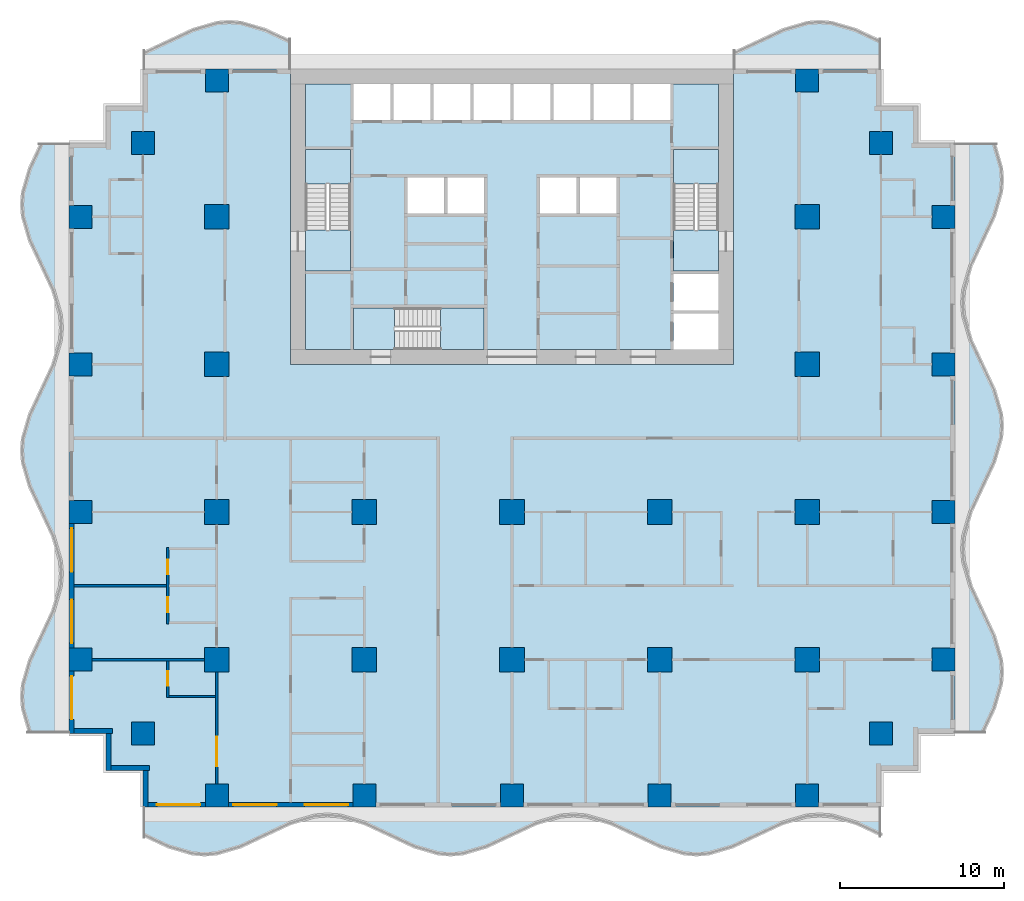
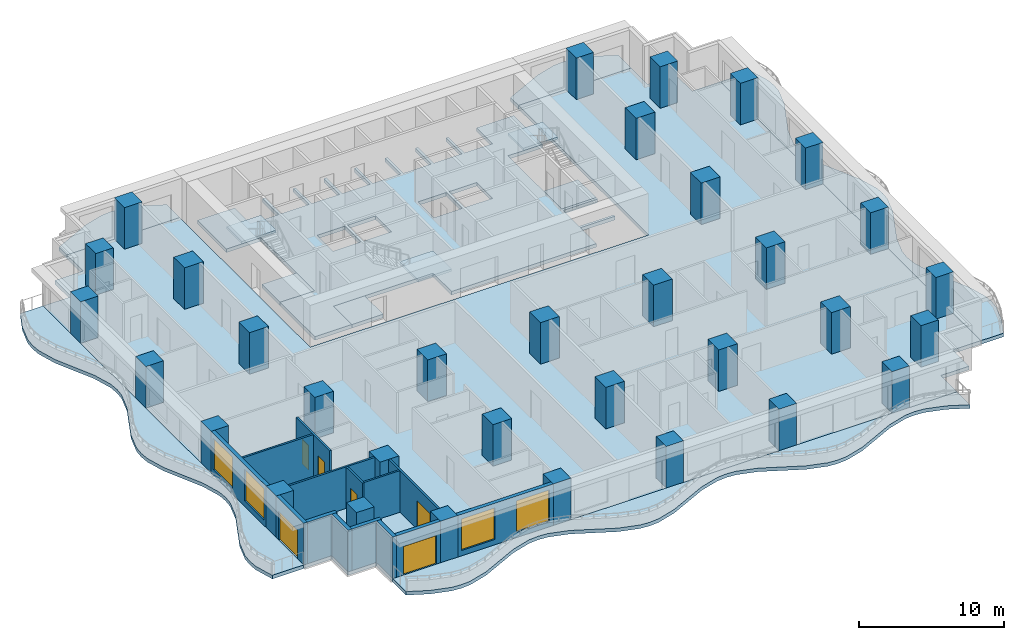
# One storey, part 1 of 14: 33 columns, 14 walls, 13 slabs, 6 doors, 4 windows, 10 openings, 3 elements without a shape of their own.
"""IFC4 building model written with IfcOpenShell, lengths in metres."""

from ifc_helpers import new_model, si_unit, direction, frame, frame_2d, origin, origin_2d, place, context, subcontext, project, spatial, polyline, rectangle, outline, extrude, material, layer, layer_set, material_profile, profile_set, type_object, element, fill, aggregate, save


model = new_model("IFC4")

# Units and contexts
model_context = context("Model", 3, precision=1e-05, world=origin(), true_north=direction((0.0, 1.0)))
body_context = subcontext(model_context, "Body", "Model", "MODEL_VIEW")
ifc_project = project(units=[si_unit("LENGTHUNIT", "METRE"), si_unit("AREAUNIT", "SQUARE_METRE"), si_unit("VOLUMEUNIT", "CUBIC_METRE"), si_unit("PLANEANGLEUNIT", "RADIAN"), si_unit("MASSUNIT", "GRAM", prefix="KILO")], contexts=[model_context])

# Site, building, storey
site_placement = place(None, origin())
site = spatial("IfcSite", under=ifc_project, at=site_placement, CompositionType="ELEMENT")
building_placement = place(site_placement, origin())
building = spatial("IfcBuilding", under=site, at=building_placement, Name="Orbiselva Terraces", CompositionType="ELEMENT")
storey_placement = place(building_placement, frame((0.0, 0.0, 45.4)))
storey = spatial("IfcBuildingStorey", under=building, at=storey_placement, Name="L11", CompositionType="ELEMENT", Elevation=45.4)

# Columns
ifc_material_1 = material(Name="Concrete C80/95", Category="concrete")
ifc_material_profile_1 = material_profile(ifc_material_1, rectangle(XDim=1.5, YDim=1.5, at=origin_2d()), Name="RC 1500x1500")
ifc_profile_set_1 = profile_set([ifc_material_profile_1], Name="Concrete C80/95")
column_type_1 = type_object("IfcColumnType", Name="COLUMN RC 1500x1500", PredefinedType="COLUMN", material=ifc_profile_set_1)
for number, where, z_axis, x_axis, name in (
    (1, (-18.0, -13.5, 0.0), (0.0, 0.0, 1.0), (1.0, 0.0, 0.0), "Column L11-01"),
    (2, (-18.0, -4.5, 0.0), (0.0, 0.0, 1.0), (1.0, 0.0, 0.0), "Column L11-03"),
    (3, (-18.0, 13.5, 0.0), (0.0, 0.0, 1.0), (1.0, 0.0, 0.0), "Column L11-04"),
    (4, (-18.0, 4.5, 0.0), (0.0, 0.0, 1.0), (1.0, 0.0, 0.0), "Column L11-06"),
    (5, (-9.0, -13.5, 0.0), (0.0, 0.0, 1.0), (1.0, 0.0, 0.0), "Column L11-13"),
    (6, (-9.0, -4.5, 0.0), (0.0, 0.0, 1.0), (1.0, 0.0, 0.0), "Column L11-15"),
    (7, (0.0, -13.5, 0.0), (0.0, 0.0, 1.0), (1.0, 0.0, 0.0), "Column L11-16"),
    (8, (0.0, -4.5, 0.0), (0.0, 0.0, 1.0), (1.0, 0.0, 0.0), "Column L11-18"),
    (9, (18.0, -13.5, 0.0), (0.0, 0.0, 1.0), (1.0, 0.0, 0.0), "Column L11-19"),
    (10, (18.0, -4.5, 0.0), (0.0, 0.0, 1.0), (1.0, 0.0, 0.0), "Column L11-21"),
    (11, (18.0, 13.5, 0.0), (0.0, 0.0, 1.0), (1.0, 0.0, 0.0), "Column L11-22"),
    (12, (18.0, 4.5, 0.0), (0.0, 0.0, 1.0), (1.0, 0.0, 0.0), "Column L11-24"),
    (13, (9.0, -13.5, 0.0), (0.0, 0.0, 1.0), (1.0, 0.0, 0.0), "Column L11-31"),
    (14, (9.0, -4.5, 0.0), (0.0, 0.0, 1.0), (1.0, 0.0, 0.0), "Column L11-33"),
):
    element("IfcColumn", number, at=place(storey_placement, frame(where, z_axis=z_axis, x_axis=x_axis)), inside=storey, type_object=column_type_1, Name=name, PredefinedType="COLUMN", context=body_context, shape_type="SweptSolid", body=[
        extrude(rectangle(XDim=1.5, YDim=1.5, at=origin_2d()), origin(), (0.0, 0.0, 1.0), 3.5),
    ])
ifc_material_2 = material(Name="Concrete C70/85", Category="concrete")
ifc_material_profile_2 = material_profile(ifc_material_2, rectangle(XDim=1.4, YDim=1.4, at=origin_2d()), Name="RC 1400x1400")
ifc_profile_set_2 = profile_set([ifc_material_profile_2], Name="Concrete C70/85")
column_type_2 = type_object("IfcColumnType", Name="PERIMETER COLUMN RC 1400x1400", PredefinedType="COLUMN", material=ifc_profile_set_2)
for number, where, z_axis, x_axis, name in (
    (15, (-18.0, -21.8, 0.0), (0.0, 0.0, 1.0), (1.0, 0.0, 0.0), "Column L11-02"),
    (16, (-18.0, 21.8, 0.0), (0.0, 0.0, 1.0), (1.0, 0.0, 0.0), "Column L11-05"),
    (17, (-26.3, -13.5, 0.0), (0.0, 0.0, 1.0), (1.0, 0.0, 0.0), "Column L11-07"),
    (18, (-22.5, -18.0, 0.0), (0.0, 0.0, 1.0), (1.0, 0.0, 0.0), "Column L11-08"),
    (19, (-26.3, -4.5, 0.0), (0.0, 0.0, 1.0), (1.0, 0.0, 0.0), "Column L11-09"),
    (20, (-26.3, 13.5, 0.0), (0.0, 0.0, 1.0), (1.0, 0.0, 0.0), "Column L11-10"),
    (21, (-22.5, 18.0, 0.0), (0.0, 0.0, 1.0), (1.0, 0.0, 0.0), "Column L11-11"),
    (22, (-26.3, 4.5, 0.0), (0.0, 0.0, 1.0), (1.0, 0.0, 0.0), "Column L11-12"),
    (23, (-9.0, -21.8, 0.0), (0.0, 0.0, 1.0), (1.0, 0.0, 0.0), "Column L11-14"),
    (24, (0.0, -21.8, 0.0), (0.0, 0.0, 1.0), (1.0, 0.0, 0.0), "Column L11-17"),
    (25, (18.0, -21.8, 0.0), (0.0, 0.0, 1.0), (1.0, 0.0, 0.0), "Column L11-20"),
    (26, (18.0, 21.8, 0.0), (0.0, 0.0, 1.0), (1.0, 0.0, 0.0), "Column L11-23"),
    (27, (26.3, -13.5, 0.0), (0.0, 0.0, 1.0), (1.0, 0.0, 0.0), "Column L11-25"),
    (28, (22.5, -18.0, 0.0), (0.0, 0.0, 1.0), (1.0, 0.0, 0.0), "Column L11-26"),
    (29, (26.3, -4.5, 0.0), (0.0, 0.0, 1.0), (1.0, 0.0, 0.0), "Column L11-27"),
    (30, (26.3, 13.5, 0.0), (0.0, 0.0, 1.0), (1.0, 0.0, 0.0), "Column L11-28"),
    (31, (22.5, 18.0, 0.0), (0.0, 0.0, 1.0), (1.0, 0.0, 0.0), "Column L11-29"),
    (32, (26.3, 4.5, 0.0), (0.0, 0.0, 1.0), (1.0, 0.0, 0.0), "Column L11-30"),
    (33, (9.0, -21.8, 0.0), (0.0, 0.0, 1.0), (1.0, 0.0, 0.0), "Column L11-32"),
):
    element("IfcColumn", number, at=place(storey_placement, frame(where, z_axis=z_axis, x_axis=x_axis)), inside=storey, type_object=column_type_2, Name=name, PredefinedType="COLUMN", context=body_context, shape_type="SweptSolid", body=[
        extrude(rectangle(XDim=1.4, YDim=1.4, at=origin_2d()), origin(), (0.0, 0.0, 1.0), 3.5),
    ])

# Slabs
ifc_material_3 = material(Name="Concrete C40/50", Category="concrete")
ifc_layer_1 = layer(ifc_material_3, 0.3)
ifc_layer_set_1 = layer_set([ifc_layer_1], Name="Concrete C40/50")
slab_type_1 = type_object("IfcSlabType", Name="CORE-SLAB-FLOOR-300", PredefinedType="FLOOR", material=ifc_layer_set_1)
slab_1_placement = place(storey_placement, frame((0.0, 0.0, -0.3)))
element("IfcSlab", 34, at=slab_1_placement, inside=storey, type_object=slab_type_1, Name="L11 S1 floor landing", PredefinedType="FLOOR", context=body_context, shape_type="SweptSolid", body=[
    extrude(outline(polyline([(-12.6, 12.7), (-9.85, 12.7), (-9.85, 10.2), (-12.6, 10.2), (-12.6, 12.7)])), origin(), (0.0, 0.0, 1.0), 0.3),
])
slab_2_placement = place(storey_placement, frame((0.0, 0.0, -0.3)))
element("IfcSlab", 35, at=slab_2_placement, inside=storey, type_object=slab_type_1, Name="L11 S2 floor landing", PredefinedType="FLOOR", context=body_context, shape_type="SweptSolid", body=[
    extrude(outline(polyline([(12.6, 12.7), (12.6, 10.2), (9.85, 10.2), (9.85, 12.7), (12.6, 12.7)])), origin(), (0.0, 0.0, 1.0), 0.3),
])
slab_3_placement = place(storey_placement, frame((0.0, 0.0, -0.3)))
element("IfcSlab", 36, at=slab_3_placement, inside=storey, type_object=slab_type_1, Name="L11 S3 floor landing", PredefinedType="FLOOR", context=body_context, shape_type="SweptSolid", body=[
    extrude(outline(polyline([(-7.15, 5.4), (-9.65, 5.4), (-9.65, 7.95), (-7.15, 7.95), (-7.15, 5.4)])), origin(), (0.0, 0.0, 1.0), 0.3),
])
slab_4_placement = place(storey_placement, frame((0.0, 0.0, -0.3)))
element("IfcSlab", 37, at=slab_4_placement, inside=storey, type_object=slab_type_1, Name="L11 core floor slab 1", PredefinedType="FLOOR", context=body_context, shape_type="SweptSolid", body=[
    extrude(outline(polyline([(-1.7, 5.4), (-1.7, 7.95), (-9.65, 7.95), (-9.65, 5.4), (-12.6, 5.4), (-12.6, 10.2), (-9.85, 10.2), (-9.85, 17.6), (-12.6, 17.6), (-12.6, 21.6), (-9.65, 21.6), (-9.65, 19.4), (-7.4125, 19.4), (-7.4125, 21.6), (-7.2125, 21.6), (-7.2125, 19.4), (-4.975, 19.4), (-4.975, 21.6), (-4.775, 21.6), (-4.775, 19.4), (-2.5375, 19.4), (-2.5375, 21.6), (-2.3375, 21.6), (-2.3375, 19.4), (-0.1, 19.4), (-0.1, 21.6), (0.1, 21.6), (0.1, 19.4), (2.3375, 19.4), (2.3375, 21.6), (2.5375, 21.6), (2.5375, 19.4), (4.775, 19.4), (4.775, 21.6), (4.975, 21.6), (4.975, 19.4), (7.2125, 19.4), (7.2125, 21.6), (7.4125, 21.6), (7.4125, 19.4), (9.65, 19.4), (9.65, 21.6), (12.6, 21.6), (12.6, 17.6), (9.85, 17.6), (9.85, 10.2), (12.6, 10.2), (12.6, 10.0), (9.85, 10.0), (9.85, 7.8), (12.6, 7.8), (12.6, 7.6), (9.85, 7.6), (9.85, 5.4), (-1.7, 5.4)]), holes=[polyline([(-4.1375, 13.7), (-4.1375, 15.9), (-6.375, 15.9), (-6.375, 13.7), (-4.1375, 13.7)]), polyline([(-1.7, 13.7), (-1.7, 15.9), (-3.9375, 15.9), (-3.9375, 13.7), (-1.7, 13.7)]), polyline([(3.9375, 13.7), (3.9375, 15.9), (1.7, 15.9), (1.7, 13.7), (3.9375, 13.7)]), polyline([(6.375, 13.7), (6.375, 15.9), (4.1375, 15.9), (4.1375, 13.7), (6.375, 13.7)])]), origin(), (0.0, 0.0, 1.0), 0.3),
])

# Stair, slab
stair_type_1 = type_object("IfcStairType", Name="CORE-STAIR-1300", PredefinedType="HALF_TURN_STAIR", material=ifc_material_3)
stair_1_placement = place(storey_placement, origin())
stair_1 = element("IfcStair", 38, at=stair_1_placement, inside=storey, type_object=stair_type_1, Name="L11 Exit Stair S1", PredefinedType="HALF_TURN_STAIR")
ifc_layer_2 = layer(ifc_material_3, 0.2)
ifc_layer_set_2 = layer_set([ifc_layer_2], Name="Concrete C40/50")
slab_type_2 = type_object("IfcSlabType", Name="CORE-STAIR-LANDING-200", PredefinedType="LANDING", material=ifc_layer_set_2)
slab_5_placement = place(storey_placement, frame((0.0, 0.0, 1.7)))
slab_5 = element("IfcSlab", 39, at=slab_5_placement, type_object=slab_type_2, Name="S1 landing 1", PredefinedType="LANDING", context=body_context, shape_type="SweptSolid", body=[
    extrude(outline(polyline([(-9.85, 15.5), (-9.85, 17.6), (-12.6, 17.6), (-12.6, 15.5), (-9.85, 15.5)])), origin(), (0.0, 0.0, 1.0), 0.2),
])
aggregate(stair_1, [slab_5])

stair_2_placement = place(storey_placement, origin())
stair_2 = element("IfcStair", 40, at=stair_2_placement, inside=storey, type_object=stair_type_1, Name="L11 Exit Stair S2", PredefinedType="HALF_TURN_STAIR")
slab_6_placement = place(storey_placement, frame((0.0, 0.0, 1.7)))
slab_6 = element("IfcSlab", 41, at=slab_6_placement, type_object=slab_type_2, Name="S2 landing 1", PredefinedType="LANDING", context=body_context, shape_type="SweptSolid", body=[
    extrude(outline(polyline([(12.6, 15.5), (12.6, 17.6), (9.85, 17.6), (9.85, 15.5), (12.6, 15.5)])), origin(), (0.0, 0.0, 1.0), 0.2),
])
aggregate(stair_2, [slab_6])

stair_type_2 = type_object("IfcStairType", Name="CORE-STAIR-1200", PredefinedType="HALF_TURN_STAIR", material=ifc_material_3)
stair_3_placement = place(storey_placement, origin())
stair_3 = element("IfcStair", 42, at=stair_3_placement, inside=storey, type_object=stair_type_2, Name="L11 Exit Stair S3", PredefinedType="HALF_TURN_STAIR")
slab_7_placement = place(storey_placement, frame((0.0, 0.0, 1.7)))
slab_7 = element("IfcSlab", 43, at=slab_7_placement, type_object=slab_type_2, Name="S3 landing 1", PredefinedType="LANDING", context=body_context, shape_type="SweptSolid", body=[
    extrude(outline(polyline([(-4.35, 5.4), (-1.7, 5.4), (-1.7, 7.95), (-4.35, 7.95), (-4.35, 5.4)])), origin(), (0.0, 0.0, 1.0), 0.2),
])
aggregate(stair_3, [slab_7])

# Slabs
ifc_material_4 = material(Name="Concrete C50/60", Category="concrete")
ifc_layer_3 = layer(ifc_material_4, 0.3)
ifc_layer_set_3 = layer_set([ifc_layer_3], Name="Concrete C50/60")
slab_type_3 = type_object("IfcSlabType", Name="ENV-BALCONY-SLAB-300", PredefinedType="FLOOR", material=ifc_layer_set_3)
slab_8_placement = place(storey_placement, frame((0.0, 0.0, -0.3)))
element("IfcSlab", 44, at=slab_8_placement, inside=storey, type_object=slab_type_3, Name="Balcony slab L11 S", PredefinedType="FLOOR", context=body_context, shape_type="SweptSolid", body=[
    extrude(outline(polyline([(-22.5, -24.3), (-21.0, -25.005342), (-19.5, -25.441268), (-18.75, -25.5), (-18.0, -25.441268), (-16.5, -25.005342), (-13.5, -23.594658), (-12.0, -23.158732), (-11.25, -23.1), (-10.5, -23.158732), (-9.0, -23.594658), (-6.0, -25.005342), (-4.5, -25.441268), (-3.75, -25.5), (-3.0, -25.441268), (-1.5, -25.005342), (1.5, -23.594658), (3.0, -23.158732), (3.75, -23.1), (4.5, -23.158732), (6.0, -23.594658), (9.0, -25.005342), (10.5, -25.441268), (11.25, -25.5), (12.0, -25.441268), (13.5, -25.005342), (16.5, -23.594658), (18.0, -23.158732), (18.75, -23.1), (19.5, -23.158732), (21.0, -23.594658), (22.5, -24.3), (22.5, -22.5), (-22.5, -22.5), (-22.5, -24.3)])), origin(), (0.0, 0.0, 1.0), 0.3),
])
slab_9_placement = place(storey_placement, frame((0.0, 0.0, -0.3)))
element("IfcSlab", 45, at=slab_9_placement, inside=storey, type_object=slab_type_3, Name="Balcony slab L11 E", PredefinedType="FLOOR", context=body_context, shape_type="SweptSolid", body=[
    extrude(outline(polyline([(28.8, -18.0), (29.505342, -16.5), (29.941268, -15.0), (30.0, -14.25), (29.941268, -13.5), (29.505342, -12.0), (28.094658, -9.0), (27.658732, -7.5), (27.6, -6.75), (27.658732, -6.0), (28.094658, -4.5), (29.505342, -1.5), (29.941268, 0.0), (30.0, 0.75), (29.941268, 1.5), (29.505342, 3.0), (28.094658, 6.0), (27.658732, 7.5), (27.6, 8.25), (27.658732, 9.0), (28.094658, 10.5), (29.505342, 13.5), (29.941268, 15.0), (30.0, 15.75), (29.941268, 16.5), (29.505342, 18.0), (27.0, 18.0), (27.0, -18.0), (28.8, -18.0)])), origin(), (0.0, 0.0, 1.0), 0.3),
])
slab_10_placement = place(storey_placement, frame((0.0, 0.0, -0.3)))
element("IfcSlab", 46, at=slab_10_placement, inside=storey, type_object=slab_type_3, Name="Balcony slab L11 NE", PredefinedType="FLOOR", context=body_context, shape_type="SweptSolid", body=[
    extrude(outline(polyline([(22.5, 24.3), (21.0, 25.005342), (19.5, 25.441268), (18.75, 25.5), (18.0, 25.441268), (16.5, 25.005342), (13.5, 23.594658), (13.5, 22.5), (22.5, 22.5), (22.5, 24.3)])), origin(), (0.0, 0.0, 1.0), 0.3),
])
slab_11_placement = place(storey_placement, frame((0.0, 0.0, -0.3)))
element("IfcSlab", 47, at=slab_11_placement, inside=storey, type_object=slab_type_3, Name="Balcony slab L11 NW", PredefinedType="FLOOR", context=body_context, shape_type="SweptSolid", body=[
    extrude(outline(polyline([(-13.5, 24.3), (-15.0, 25.005342), (-16.5, 25.441268), (-17.25, 25.5), (-18.0, 25.441268), (-19.5, 25.005342), (-22.5, 23.594658), (-22.5, 22.5), (-13.5, 22.5), (-13.5, 24.3)])), origin(), (0.0, 0.0, 1.0), 0.3),
])
slab_12_placement = place(storey_placement, frame((0.0, 0.0, -0.3)))
element("IfcSlab", 48, at=slab_12_placement, inside=storey, type_object=slab_type_3, Name="Balcony slab L11 W", PredefinedType="FLOOR", context=body_context, shape_type="SweptSolid", body=[
    extrude(outline(polyline([(-28.8, 18.0), (-29.505342, 16.5), (-29.941268, 15.0), (-30.0, 14.25), (-29.941268, 13.5), (-29.505342, 12.0), (-28.094658, 9.0), (-27.658732, 7.5), (-27.6, 6.75), (-27.658732, 6.0), (-28.094658, 4.5), (-29.505342, 1.5), (-29.941268, 0.0), (-30.0, -0.75), (-29.941268, -1.5), (-29.505342, -3.0), (-28.094658, -6.0), (-27.658732, -7.5), (-27.6, -8.25), (-27.658732, -9.0), (-28.094658, -10.5), (-29.505342, -13.5), (-29.941268, -15.0), (-30.0, -15.75), (-29.941268, -16.5), (-29.505342, -18.0), (-27.0, -18.0), (-27.0, 18.0), (-28.8, 18.0)])), origin(), (0.0, 0.0, 1.0), 0.3),
])
ifc_layer_4 = layer(ifc_material_4, 0.3)
ifc_layer_set_4 = layer_set([ifc_layer_4], Name="Concrete C50/60")
slab_type_4 = type_object("IfcSlabType", Name="FLOOR SLAB 300", PredefinedType="FLOOR", material=ifc_layer_set_4)
slab_13_placement = place(storey_placement, frame((0.0, 0.0, -0.3)))
element("IfcSlab", 49, at=slab_13_placement, inside=storey, type_object=slab_type_4, Name="Floor slab L11", PredefinedType="FLOOR", context=body_context, shape_type="SweptSolid", body=[
    extrude(outline(polyline([(22.5, 22.5), (22.5, 20.25), (24.75, 20.25), (24.75, 18.0), (27.0, 18.0), (27.0, -18.0), (24.75, -18.0), (24.75, -20.25), (22.5, -20.25), (22.5, -22.5), (-22.5, -22.5), (-22.5, -20.25), (-24.75, -20.25), (-24.75, -18.0), (-27.0, -18.0), (-27.0, 18.0), (-24.75, 18.0), (-24.75, 20.25), (-22.5, 20.25), (-22.5, 22.5), (-13.5, 22.5), (-13.5, 4.5), (13.5, 4.5), (13.5, 22.5), (22.5, 22.5)])), origin(), (0.0, 0.0, 1.0), 0.3),
])

# Wall, opening, door
ifc_material_5 = material(Name="Terracotta cladding on masonry backing", Category="masonry")
ifc_layer_5 = layer(ifc_material_5, 0.3)
ifc_layer_set_5 = layer_set([ifc_layer_5], Name="Terracotta cladding on masonry backing")
wall_type_1 = type_object("IfcWallType", Name="ENV-WALL-TERRACOTTA-300", PredefinedType="SOLIDWALL", material=ifc_layer_set_5)
wall_1_placement = place(storey_placement, frame((-18.7, -22.35, 0.0), z_axis=(0.0, 0.0, 1.0), x_axis=(-1.0, 0.0, 0.0)))
wall_1 = element("IfcWall", 50, at=wall_1_placement, inside=storey, type_object=wall_type_1, Name="Facade wall L11 S", PredefinedType="SOLIDWALL", context=body_context, shape_type="SweptSolid", body=[
    extrude(rectangle(XDim=3.5, YDim=0.3, at=frame_2d((1.75, 0.0))), origin(), (0.0, 0.0, 1.0), 3.5),
])
opening_1_placement = place(wall_1_placement, frame((0.3, 0.0, 0.0)))
opening_1 = element("IfcOpeningElement", 51, at=opening_1_placement, cuts=wall_1, Name="Opening Z1-C-E25", PredefinedType="OPENING", context=body_context, shape_type="SweptSolid", body=[
    extrude(rectangle(XDim=2.65, YDim=2.4, at=frame_2d((1.325, 1.2))), frame((0.0, 0.16, 0.0), z_axis=(0.0, -1.0, 0.0), x_axis=(1.0, 0.0, 0.0)), (0.0, 0.0, 1.0), 0.32),
])
ifc_material_6 = material(Name="Clear low-e glazing in aluminium frame", Category="aluminium")
door_type_1 = type_object("IfcDoorType", Name="BALCONY DOOR 2650 X 2400", OperationType="DOUBLE_DOOR_SLIDING", PredefinedType="DOOR", material=ifc_material_6)
door_1_placement = place(opening_1_placement, origin())
door_1 = element("IfcDoor", 52, at=door_1_placement, inside=storey, type_object=door_type_1, Name="Z1-C-E25", OperationType="SINGLE_SWING_LEFT", OverallHeight=2.4, OverallWidth=2.65, PredefinedType="DOOR", context=body_context, shape_type="SweptSolid", body=[
    extrude(rectangle(XDim=2.65, YDim=2.4, at=frame_2d((1.325, 1.2))), frame((0.0, 0.025, 0.0), z_axis=(0.0, -1.0, 0.0), x_axis=(1.0, 0.0, 0.0)), (0.0, 0.0, 1.0), 0.05),
])
fill(opening_1, door_1)

# Wall, openings, windows
wall_2_placement = place(storey_placement, frame((-9.7, -22.35, 0.0), z_axis=(0.0, 0.0, 1.0), x_axis=(-1.0, 0.0, 0.0)))
wall_2 = element("IfcWall", 53, at=wall_2_placement, inside=storey, type_object=wall_type_1, Name="Facade wall L11 S", PredefinedType="SOLIDWALL", context=body_context, shape_type="SweptSolid", body=[
    extrude(rectangle(XDim=7.6, YDim=0.3, at=frame_2d((3.8, 0.0))), origin(), (0.0, 0.0, 1.0), 3.5),
])
opening_2_placement = place(wall_2_placement, frame((4.65, 0.0, 0.45)))
opening_2 = element("IfcOpeningElement", 54, at=opening_2_placement, cuts=wall_2, Name="Opening WN3", PredefinedType="OPENING", context=body_context, shape_type="SweptSolid", body=[
    extrude(rectangle(XDim=2.65, YDim=2.65, at=frame_2d((1.325, 1.325))), frame((0.0, 0.16, 0.0), z_axis=(0.0, -1.0, 0.0), x_axis=(1.0, 0.0, 0.0)), (0.0, 0.0, 1.0), 0.32),
])
opening_3_placement = place(wall_2_placement, frame((0.3, 0.0, 0.45)))
opening_3 = element("IfcOpeningElement", 55, at=opening_3_placement, cuts=wall_2, Name="Opening WN3", PredefinedType="OPENING", context=body_context, shape_type="SweptSolid", body=[
    extrude(rectangle(XDim=2.65, YDim=2.65, at=frame_2d((1.325, 1.325))), frame((0.0, 0.16, 0.0), z_axis=(0.0, -1.0, 0.0), x_axis=(1.0, 0.0, 0.0)), (0.0, 0.0, 1.0), 0.32),
])
window_type = type_object("IfcWindowType", Name="WINDOW 2650 X 2650 S450", PartitioningType="TRIPLE_PANEL_VERTICAL", PredefinedType="WINDOW", material=ifc_material_6)
window_1_placement = place(opening_2_placement, origin())
window_1 = element("IfcWindow", 56, at=window_1_placement, inside=storey, type_object=window_type, Name="Window L11 S", OverallHeight=2.65, OverallWidth=2.65, PartitioningType="SINGLE_PANEL", PredefinedType="WINDOW", context=body_context, shape_type="SweptSolid", body=[
    extrude(rectangle(XDim=2.65, YDim=2.65, at=frame_2d((1.325, 1.325))), frame((0.0, 0.03, 0.0), z_axis=(0.0, -1.0, 0.0), x_axis=(1.0, 0.0, 0.0)), (0.0, 0.0, 1.0), 0.06),
])
fill(opening_2, window_1)
window_2_placement = place(opening_3_placement, origin())
window_2 = element("IfcWindow", 57, at=window_2_placement, inside=storey, type_object=window_type, Name="Window L11 S", OverallHeight=2.65, OverallWidth=2.65, PartitioningType="SINGLE_PANEL", PredefinedType="WINDOW", context=body_context, shape_type="SweptSolid", body=[
    extrude(rectangle(XDim=2.65, YDim=2.65, at=frame_2d((1.325, 1.325))), frame((0.0, 0.03, 0.0), z_axis=(0.0, -1.0, 0.0), x_axis=(1.0, 0.0, 0.0)), (0.0, 0.0, 1.0), 0.06),
])
fill(opening_3, window_2)

wall_3_placement = place(storey_placement, frame((-26.85, -12.8, 0.0), z_axis=(0.0, 0.0, 1.0), x_axis=(0.0, 1.0, 0.0)))
wall_3 = element("IfcWall", 58, at=wall_3_placement, inside=storey, type_object=wall_type_1, Name="Facade wall L11 W", PredefinedType="SOLIDWALL", context=body_context, shape_type="SweptSolid", body=[
    extrude(rectangle(XDim=7.6, YDim=0.3, at=frame_2d((3.8, 0.0))), origin(), (0.0, 0.0, 1.0), 3.5),
])
opening_4_placement = place(wall_3_placement, frame((4.65, 0.0, 0.45)))
opening_4 = element("IfcOpeningElement", 59, at=opening_4_placement, cuts=wall_3, Name="Opening WN3", PredefinedType="OPENING", context=body_context, shape_type="SweptSolid", body=[
    extrude(rectangle(XDim=2.65, YDim=2.65, at=frame_2d((1.325, 1.325))), frame((0.0, 0.16, 0.0), z_axis=(0.0, -1.0, 0.0), x_axis=(1.0, 0.0, 0.0)), (0.0, 0.0, 1.0), 0.32),
])
opening_5_placement = place(wall_3_placement, frame((0.3, 0.0, 0.45)))
opening_5 = element("IfcOpeningElement", 60, at=opening_5_placement, cuts=wall_3, Name="Opening WN3", PredefinedType="OPENING", context=body_context, shape_type="SweptSolid", body=[
    extrude(rectangle(XDim=2.65, YDim=2.65, at=frame_2d((1.325, 1.325))), frame((0.0, 0.16, 0.0), z_axis=(0.0, -1.0, 0.0), x_axis=(1.0, 0.0, 0.0)), (0.0, 0.0, 1.0), 0.32),
])
window_3_placement = place(opening_4_placement, origin())
window_3 = element("IfcWindow", 61, at=window_3_placement, inside=storey, type_object=window_type, Name="Window L11 W", OverallHeight=2.65, OverallWidth=2.65, PartitioningType="SINGLE_PANEL", PredefinedType="WINDOW", context=body_context, shape_type="SweptSolid", body=[
    extrude(rectangle(XDim=2.65, YDim=2.65, at=frame_2d((1.325, 1.325))), frame((0.0, 0.03, 0.0), z_axis=(0.0, -1.0, 0.0), x_axis=(1.0, 0.0, 0.0)), (0.0, 0.0, 1.0), 0.06),
])
fill(opening_4, window_3)
window_4_placement = place(opening_5_placement, origin())
window_4 = element("IfcWindow", 62, at=window_4_placement, inside=storey, type_object=window_type, Name="Window L11 W", OverallHeight=2.65, OverallWidth=2.65, PartitioningType="SINGLE_PANEL", PredefinedType="WINDOW", context=body_context, shape_type="SweptSolid", body=[
    extrude(rectangle(XDim=2.65, YDim=2.65, at=frame_2d((1.325, 1.325))), frame((0.0, 0.03, 0.0), z_axis=(0.0, -1.0, 0.0), x_axis=(1.0, 0.0, 0.0)), (0.0, 0.0, 1.0), 0.06),
])
fill(opening_5, window_4)

# Wall, opening, door
wall_4_placement = place(storey_placement, frame((-26.85, -18.0, 0.0), z_axis=(0.0, 0.0, 1.0), x_axis=(0.0, 1.0, 0.0)))
wall_4 = element("IfcWall", 63, at=wall_4_placement, inside=storey, type_object=wall_type_1, Name="Facade wall L11 W", PredefinedType="SOLIDWALL", context=body_context, shape_type="SweptSolid", body=[
    extrude(rectangle(XDim=3.8, YDim=0.3, at=frame_2d((1.9, 0.0))), origin(), (0.0, 0.0, 1.0), 3.5),
])
opening_6_placement = place(wall_4_placement, frame((0.85, 0.0, 0.0)))
opening_6 = element("IfcOpeningElement", 64, at=opening_6_placement, cuts=wall_4, Name="Opening Z1-C-E24", PredefinedType="OPENING", context=body_context, shape_type="SweptSolid", body=[
    extrude(rectangle(XDim=2.65, YDim=2.4, at=frame_2d((1.325, 1.2))), frame((0.0, 0.16, 0.0), z_axis=(0.0, -1.0, 0.0), x_axis=(1.0, 0.0, 0.0)), (0.0, 0.0, 1.0), 0.32),
])
door_2_placement = place(opening_6_placement, origin())
door_2 = element("IfcDoor", 65, at=door_2_placement, inside=storey, type_object=door_type_1, Name="Z1-C-E24", OperationType="SINGLE_SWING_LEFT", OverallHeight=2.4, OverallWidth=2.65, PredefinedType="DOOR", context=body_context, shape_type="SweptSolid", body=[
    extrude(rectangle(XDim=2.65, YDim=2.4, at=frame_2d((1.325, 1.2))), frame((0.0, 0.025, 0.0), z_axis=(0.0, -1.0, 0.0), x_axis=(1.0, 0.0, 0.0)), (0.0, 0.0, 1.0), 0.05),
])
fill(opening_6, door_2)

# Walls
wall_5_placement = place(storey_placement, frame((-24.35, -17.85, 0.0), z_axis=(0.0, 0.0, 1.0), x_axis=(-1.0, 0.0, 0.0)))
element("IfcWall", 66, at=wall_5_placement, inside=storey, type_object=wall_type_1, Name="Facade wall L11 STEP", PredefinedType="SOLIDWALL", context=body_context, shape_type="SweptSolid", body=[
    extrude(rectangle(XDim=2.35, YDim=0.3, at=frame_2d((1.175, 0.0))), origin(), (0.0, 0.0, 1.0), 3.5),
])
wall_6_placement = place(storey_placement, frame((-24.6, -20.25, 0.0), z_axis=(0.0, 0.0, 1.0), x_axis=(0.0, 1.0, 0.0)))
element("IfcWall", 67, at=wall_6_placement, inside=storey, type_object=wall_type_1, Name="Facade wall L11 STEP", PredefinedType="SOLIDWALL", context=body_context, shape_type="SweptSolid", body=[
    extrude(rectangle(XDim=2.25, YDim=0.3, at=frame_2d((1.125, 0.0))), origin(), (0.0, 0.0, 1.0), 3.5),
])
wall_7_placement = place(storey_placement, frame((-22.1, -20.1, 0.0), z_axis=(0.0, 0.0, 1.0), x_axis=(-1.0, 0.0, 0.0)))
element("IfcWall", 68, at=wall_7_placement, inside=storey, type_object=wall_type_1, Name="Facade wall L11 STEP", PredefinedType="SOLIDWALL", context=body_context, shape_type="SweptSolid", body=[
    extrude(rectangle(XDim=2.35, YDim=0.3, at=frame_2d((1.175, 0.0))), origin(), (0.0, 0.0, 1.0), 3.5),
])
wall_8_placement = place(storey_placement, frame((-22.35, -22.5, 0.0), z_axis=(0.0, 0.0, 1.0), x_axis=(0.0, 1.0, 0.0)))
element("IfcWall", 69, at=wall_8_placement, inside=storey, type_object=wall_type_1, Name="Facade wall L11 STEP", PredefinedType="SOLIDWALL", context=body_context, shape_type="SweptSolid", body=[
    extrude(rectangle(XDim=2.25, YDim=0.3, at=frame_2d((1.125, 0.0))), origin(), (0.0, 0.0, 1.0), 3.5),
])
ifc_material_7 = material(Name="Plasterboard on steel stud partition", Category="steel")
ifc_layer_6 = layer(ifc_material_7, 0.15)
ifc_layer_set_6 = layer_set([ifc_layer_6], Name="Plasterboard on steel stud partition")
wall_type_2 = type_object("IfcWallType", Name="UNIT-PARTITION-150", PredefinedType="PARTITIONING", material=ifc_layer_set_6)
wall_9_placement = place(storey_placement, frame((-20.925, -15.75, 0.0), z_axis=(0.0, 0.0, 1.0), x_axis=(1.0, 0.0, 0.0)))
element("IfcWall", 70, at=wall_9_placement, inside=storey, type_object=wall_type_2, Name="PARTITION L11-006", PredefinedType="PARTITIONING", context=body_context, shape_type="SweptSolid", body=[
    extrude(rectangle(XDim=2.85, YDim=0.15, at=frame_2d((1.425, 0.0))), origin(), (0.0, 0.0, 1.0), 3.5),
])
wall_10_placement = place(storey_placement, frame((-25.6, -13.5, 0.0), z_axis=(0.0, 0.0, 1.0), x_axis=(1.0, 0.0, 0.0)))
element("IfcWall", 71, at=wall_10_placement, inside=storey, type_object=wall_type_2, Name="PARTITION L11-007", PredefinedType="PARTITIONING", context=body_context, shape_type="SweptSolid", body=[
    extrude(rectangle(XDim=6.85, YDim=0.15, at=frame_2d((3.425, 0.0))), origin(), (0.0, 0.0, 1.0), 3.5),
])
wall_11_placement = place(storey_placement, frame((-26.7, -9.0, 0.0), z_axis=(0.0, 0.0, 1.0), x_axis=(1.0, 0.0, 0.0)))
element("IfcWall", 72, at=wall_11_placement, inside=storey, type_object=wall_type_2, Name="PARTITION L11-014", PredefinedType="PARTITIONING", context=body_context, shape_type="SweptSolid", body=[
    extrude(rectangle(XDim=5.625, YDim=0.15, at=frame_2d((2.8125, 0.0))), origin(), (0.0, 0.0, 1.0), 3.5),
])

# Wall, opening, door
wall_12_placement = place(storey_placement, frame((-21.0, -13.575, 0.0), z_axis=(0.0, 0.0, 1.0), x_axis=(0.0, -1.0, 0.0)))
wall_12 = element("IfcWall", 73, at=wall_12_placement, inside=storey, type_object=wall_type_2, Name="PARTITION L11-043", PredefinedType="PARTITIONING", context=body_context, shape_type="SweptSolid", body=[
    extrude(rectangle(XDim=2.25, YDim=0.15, at=frame_2d((1.125, 0.0))), origin(), (0.0, 0.0, 1.0), 3.5),
])
opening_7_placement = place(wall_12_placement, frame((0.625, 0.0, 0.0)))
opening_7 = element("IfcOpeningElement", 74, at=opening_7_placement, cuts=wall_12, Name="Opening Z1-C-22", PredefinedType="OPENING", context=body_context, shape_type="SweptSolid", body=[
    extrude(rectangle(XDim=0.9, YDim=2.1, at=frame_2d((0.45, 1.05))), frame((0.0, 0.085, 0.0), z_axis=(0.0, -1.0, 0.0), x_axis=(1.0, 0.0, 0.0)), (0.0, 0.0, 1.0), 0.17),
])
ifc_material_8 = material(Name="Painted timber door leaf", Category="wood")
door_type_2 = type_object("IfcDoorType", Name="BATH DOOR 900", OperationType="NOTDEFINED", PredefinedType="DOOR", material=ifc_material_8)
door_3_placement = place(opening_7_placement, origin())
door_3 = element("IfcDoor", 75, at=door_3_placement, inside=storey, type_object=door_type_2, Name="Z1-C-22", OperationType="SINGLE_SWING_LEFT", OverallHeight=2.1, OverallWidth=0.9, PredefinedType="DOOR", context=body_context, shape_type="SweptSolid", body=[
    extrude(rectangle(XDim=0.9, YDim=2.1, at=frame_2d((0.45, 1.05))), frame((0.0, 0.025, 0.0), z_axis=(0.0, -1.0, 0.0), x_axis=(1.0, 0.0, 0.0)), (0.0, 0.0, 1.0), 0.05),
])
fill(opening_7, door_3)

# Wall, openings, doors
wall_13_placement = place(storey_placement, frame((-21.0, -6.675, 0.0), z_axis=(0.0, 0.0, 1.0), x_axis=(0.0, -1.0, 0.0)))
wall_13 = element("IfcWall", 76, at=wall_13_placement, inside=storey, type_object=wall_type_2, Name="PARTITION L11-044", PredefinedType="PARTITIONING", context=body_context, shape_type="SweptSolid", body=[
    extrude(rectangle(XDim=4.65, YDim=0.15, at=frame_2d((2.325, 0.0))), origin(), (0.0, 0.0, 1.0), 3.5),
])
opening_8_placement = place(wall_13_placement, frame((3.025, 0.0, 0.0)))
opening_8 = element("IfcOpeningElement", 77, at=opening_8_placement, cuts=wall_13, Name="Opening Z1-C-24", PredefinedType="OPENING", context=body_context, shape_type="SweptSolid", body=[
    extrude(rectangle(XDim=0.9, YDim=2.1, at=frame_2d((0.45, 1.05))), frame((0.0, 0.085, 0.0), z_axis=(0.0, -1.0, 0.0), x_axis=(1.0, 0.0, 0.0)), (0.0, 0.0, 1.0), 0.17),
])
opening_9_placement = place(wall_13_placement, frame((0.725, 0.0, 0.0)))
opening_9 = element("IfcOpeningElement", 78, at=opening_9_placement, cuts=wall_13, Name="Opening Z1-C-26", PredefinedType="OPENING", context=body_context, shape_type="SweptSolid", body=[
    extrude(rectangle(XDim=0.9, YDim=2.1, at=frame_2d((0.45, 1.05))), frame((0.0, 0.085, 0.0), z_axis=(0.0, -1.0, 0.0), x_axis=(1.0, 0.0, 0.0)), (0.0, 0.0, 1.0), 0.17),
])
door_4_placement = place(opening_8_placement, origin())
door_4 = element("IfcDoor", 79, at=door_4_placement, inside=storey, type_object=door_type_2, Name="Z1-C-24", OperationType="SINGLE_SWING_RIGHT", OverallHeight=2.1, OverallWidth=0.9, PredefinedType="DOOR", context=body_context, shape_type="SweptSolid", body=[
    extrude(rectangle(XDim=0.9, YDim=2.1, at=frame_2d((0.45, 1.05))), frame((0.0, 0.025, 0.0), z_axis=(0.0, -1.0, 0.0), x_axis=(1.0, 0.0, 0.0)), (0.0, 0.0, 1.0), 0.05),
])
fill(opening_8, door_4)
door_5_placement = place(opening_9_placement, origin())
door_5 = element("IfcDoor", 80, at=door_5_placement, inside=storey, type_object=door_type_2, Name="Z1-C-26", OperationType="SINGLE_SWING_LEFT", OverallHeight=2.1, OverallWidth=0.9, PredefinedType="DOOR", context=body_context, shape_type="SweptSolid", body=[
    extrude(rectangle(XDim=0.9, YDim=2.1, at=frame_2d((0.45, 1.05))), frame((0.0, 0.025, 0.0), z_axis=(0.0, -1.0, 0.0), x_axis=(1.0, 0.0, 0.0)), (0.0, 0.0, 1.0), 0.05),
])
fill(opening_9, door_5)

# Wall, opening, door
wall_14_placement = place(storey_placement, frame((-18.0, -21.1, 0.0), z_axis=(0.0, 0.0, 1.0), x_axis=(0.0, 1.0, 0.0)))
wall_14 = element("IfcWall", 81, at=wall_14_placement, inside=storey, type_object=wall_type_2, Name="PARTITION L11-045", PredefinedType="PARTITIONING", context=body_context, shape_type="SweptSolid", body=[
    extrude(rectangle(XDim=6.85, YDim=0.15, at=frame_2d((3.425, 0.0))), origin(), (0.0, 0.0, 1.0), 3.5),
])
opening_10_placement = place(wall_14_placement, frame((1.1, 0.0, 0.0)))
opening_10 = element("IfcOpeningElement", 82, at=opening_10_placement, cuts=wall_14, Name="Opening Z1-C-21", PredefinedType="OPENING", context=body_context, shape_type="SweptSolid", body=[
    extrude(rectangle(XDim=1.8, YDim=2.4, at=frame_2d((0.9, 1.2))), frame((0.0, 0.085, 0.0), z_axis=(0.0, -1.0, 0.0), x_axis=(1.0, 0.0, 0.0)), (0.0, 0.0, 1.0), 0.17),
])
door_type_3 = type_object("IfcDoorType", Name="DOUBLE DOOR 1800", OperationType="NOTDEFINED", PredefinedType="DOOR", material=ifc_material_8)
door_6_placement = place(opening_10_placement, origin())
door_6 = element("IfcDoor", 83, at=door_6_placement, inside=storey, type_object=door_type_3, Name="Z1-C-21", OperationType="DOUBLE_DOOR_SINGLE_SWING", OverallHeight=2.4, OverallWidth=1.8, PredefinedType="DOOR", context=body_context, shape_type="SweptSolid", body=[
    extrude(rectangle(XDim=1.8, YDim=2.4, at=frame_2d((0.9, 1.2))), frame((0.0, 0.025, 0.0), z_axis=(0.0, -1.0, 0.0), x_axis=(1.0, 0.0, 0.0)), (0.0, 0.0, 1.0), 0.05),
])
fill(opening_10, door_6)

save(model, "model.ifc")
